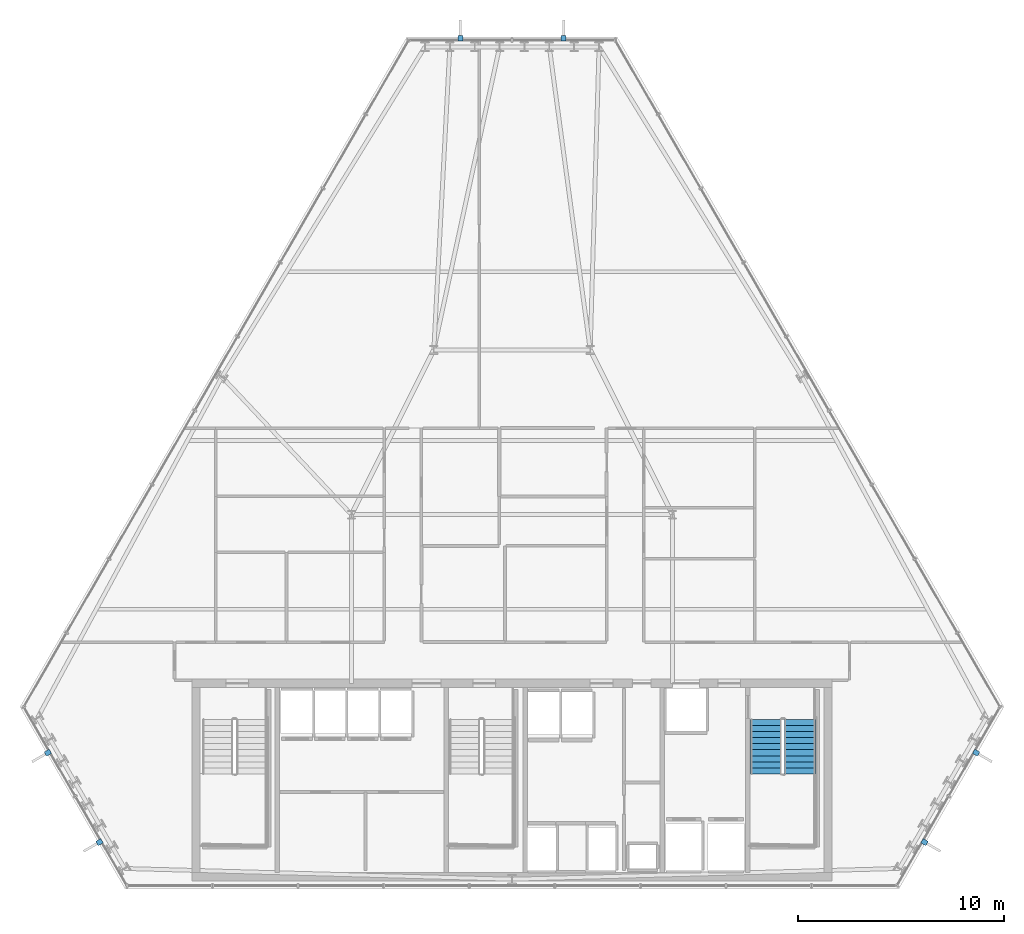
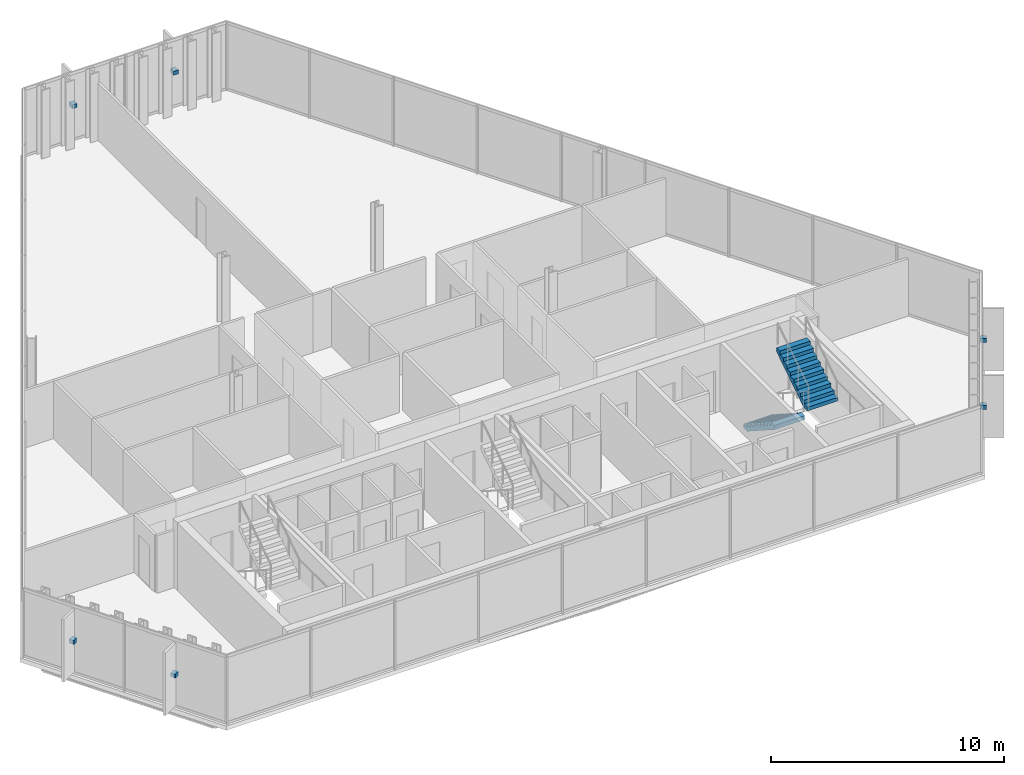
# One storey, part 31 of 35: 6 discrete accessories, 2 stair flights, 1 element without a shape of its own.
"""IFC4 building model written with IfcOpenShell, lengths in metres."""

from ifc_helpers import new_model, si_unit, direction, frame, origin, origin_2d, place, context, subcontext, project, spatial, polyline, rectangle, outline, extrude, material, type_object, element, aggregate, save


model = new_model("IFC4")

# Units and contexts
model_context = context("Model", 3, precision=1e-05, world=origin(), true_north=direction((0.0, 1.0)))
body_context = subcontext(model_context, "Body", "Model", "MODEL_VIEW")
ifc_project = project(units=[si_unit("LENGTHUNIT", "METRE"), si_unit("AREAUNIT", "SQUARE_METRE"), si_unit("VOLUMEUNIT", "CUBIC_METRE"), si_unit("PLANEANGLEUNIT", "RADIAN"), si_unit("MASSUNIT", "GRAM", prefix="KILO")], contexts=[model_context])

# Site, building, storey
site_placement = place(None, origin())
site = spatial("IfcSite", under=ifc_project, at=site_placement, CompositionType="ELEMENT")
building_placement = place(site_placement, origin())
building = spatial("IfcBuilding", under=site, at=building_placement, Name="Ndaravel Arena Tower", CompositionType="ELEMENT")
storey_placement = place(building_placement, frame((0.0, 0.0, 176.39990234375)))
storey = spatial("IfcBuildingStorey", under=building, at=storey_placement, Name="L42", CompositionType="ELEMENT", Elevation=176.39990234375)

# Stair, stair flights
ifc_material_1 = material(Name="Concrete C40/50", Category="concrete")
stair_type = type_object("IfcStairType", Name="STAIR-CORE-HT", PredefinedType="HALF_TURN_STAIR", material=ifc_material_1)
stair_placement = place(storey_placement, origin())
stair = element("IfcStair", 1, at=stair_placement, inside=storey, type_object=stair_type, Name="L42 ST-3", PredefinedType="HALF_TURN_STAIR")
ifc_material_2 = material(Name="Concrete C40/50", Category="concrete")
stair_flight_type = type_object("IfcStairFlightType", Name="SFLIGHT-CORE-1680", PredefinedType="STRAIGHT", material=ifc_material_2)
stair_flight_1_placement = place(storey_placement, frame((54.35009765625, 13.25, 0.0), z_axis=(0.0, 0.0, 1.0), x_axis=(0.0, -1.0, 0.0)))
stair_flight_1 = element("IfcStairFlight", 2, at=stair_flight_1_placement, type_object=stair_flight_type, Name="ST-3 flight 1", NumberOfRisers=10, NumberOfTreads=9, PredefinedType="STRAIGHT", RiserHeight=0.19, TreadLength=0.295, context=body_context, shape_type="SweptSolid", body=[
    extrude(outline(polyline([(0.0, 0.0), (0.0, 0.18994140625), (0.294921875, 0.18994140625), (0.294921875, 0.3798828125), (0.590087890625, 0.3798828125), (0.590087890625, 0.570068359375), (0.885009765625, 0.570068359375), (0.885009765625, 0.760009765625), (1.179931640625, 0.760009765625), (1.179931640625, 0.949951171875), (1.47509765625, 0.949951171875), (1.47509765625, 1.139892578125), (1.77001953125, 1.139892578125), (1.77001953125, 1.330078125), (2.06494140625, 1.330078125), (2.06494140625, 1.52001953125), (2.360107421875, 1.52001953125), (2.360107421875, 1.7099609375), (2.655029296875, 1.7099609375), (2.655029296875, 1.89990234375), (2.655029296875, 1.49609375), (0.332275390625, 0.0), (0.0, 0.0)])), frame((0.0, 0.75, 0.0), z_axis=(0.0, -1.0, 0.0), x_axis=(1.0, 0.0, 0.0)), (0.0, 0.0, 1.0), 1.5),
])
stair_flight_2_placement = place(storey_placement, frame((55.989990234375, 10.594970703125, 1.900146484375), z_axis=(0.0, 0.0, 1.0), x_axis=(0.0, 1.0, 0.0)))
stair_flight_2 = element("IfcStairFlight", 3, at=stair_flight_2_placement, type_object=stair_flight_type, Name="ST-3 flight 2", NumberOfRisers=10, NumberOfTreads=9, PredefinedType="STRAIGHT", RiserHeight=0.19, TreadLength=0.295, context=body_context, shape_type="SweptSolid", body=[
    extrude(outline(polyline([(0.0, 0.0), (0.0, 0.18994140625), (0.294921875, 0.18994140625), (0.294921875, 0.3798828125), (0.590087890625, 0.3798828125), (0.590087890625, 0.570068359375), (0.885009765625, 0.570068359375), (0.885009765625, 0.760009765625), (1.179931640625, 0.760009765625), (1.179931640625, 0.949951171875), (1.47509765625, 0.949951171875), (1.47509765625, 1.139892578125), (1.77001953125, 1.139892578125), (1.77001953125, 1.330078125), (2.06494140625, 1.330078125), (2.06494140625, 1.52001953125), (2.360107421875, 1.52001953125), (2.360107421875, 1.7099609375), (2.655029296875, 1.7099609375), (2.655029296875, 1.89990234375), (2.655029296875, 1.49609375), (0.332275390625, 0.0), (0.0, 0.0)])), frame((0.0, 0.75, 0.0), z_axis=(0.0, -1.0, 0.0), x_axis=(1.0, 0.0, 0.0)), (0.0, 0.0, 1.0), 1.5),
])
aggregate(stair, [stair_flight_1, stair_flight_2])

# Discrete accessories
ifc_material_3 = material(Name="Steel S355", Category="steel")
discrete_accessory_type = type_object("IfcDiscreteAccessoryType", Name="ACC-BRACKET-FIN", PredefinedType="BRACKET", material=ifc_material_3)
for number, where, z_axis, x_axis, name in (
    (4, (62.044677734375, 7.283203125, 1.68994140625), (0.0, 0.0, 1.0), (0.866025403784, -0.5, 0.0), "L42 Mazeras Stone Solar Fin E2.1 Bracket"),
    (5, (64.55419921875, 11.629638671875, 1.68994140625), (0.0, 0.0, 1.0), (0.866025403784, -0.5, 0.0), "L42 Mazeras Stone Solar Fin E2.2 Bracket"),
    (6, (44.509521484375, 46.34814453125, 1.68994140625), (0.0, 0.0, 1.0), (0.0, 1.0, 0.0), "L42 Mazeras Stone Solar Fin E4.1 Bracket"),
    (7, (39.490478515625, 46.34814453125, 1.68994140625), (0.0, 0.0, 1.0), (0.0, 1.0, 0.0), "L42 Mazeras Stone Solar Fin E4.2 Bracket"),
    (8, (19.44580078125, 11.629638671875, 1.68994140625), (0.0, 0.0, 1.0), (-0.866025403784, -0.5, 0.0), "L42 Mazeras Stone Solar Fin E6.1 Bracket"),
    (9, (21.955322265625, 7.283203125, 1.68994140625), (0.0, 0.0, 1.0), (-0.866025403784, -0.5, 0.0), "L42 Mazeras Stone Solar Fin E6.2 Bracket"),
):
    element("IfcDiscreteAccessory", number, at=place(storey_placement, frame(where, z_axis=z_axis, x_axis=x_axis)), inside=storey, type_object=discrete_accessory_type, Name=name, PredefinedType="BRACKET", context=body_context, shape_type="SweptSolid", body=[
        extrude(rectangle(XDim=0.280029296875, YDim=0.239990234375, at=origin_2d()), origin(), (0.0, 0.0, 1.0), 0.199951171875),
    ])

save(model, "model.ifc")
